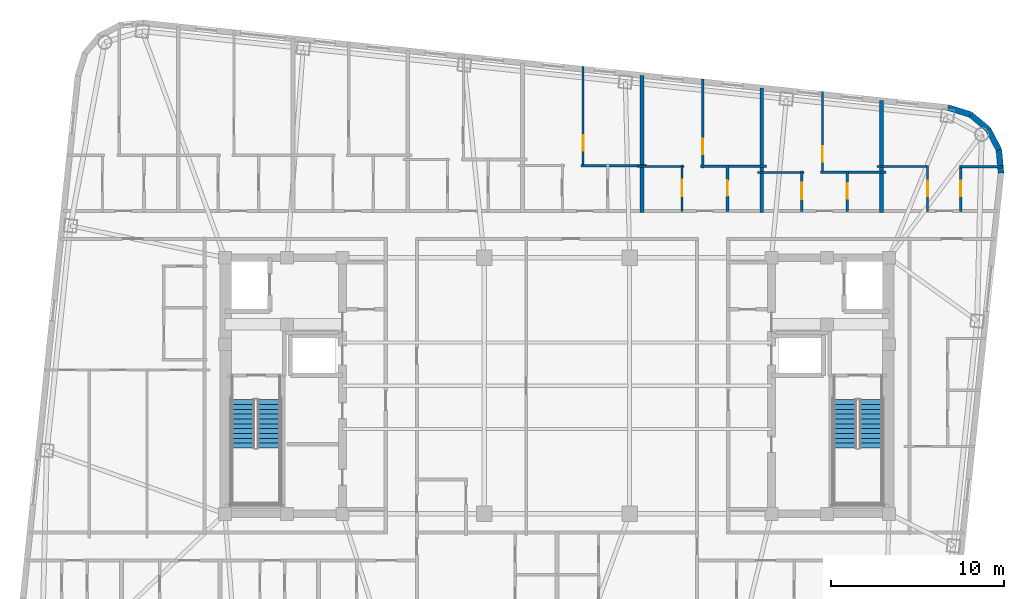
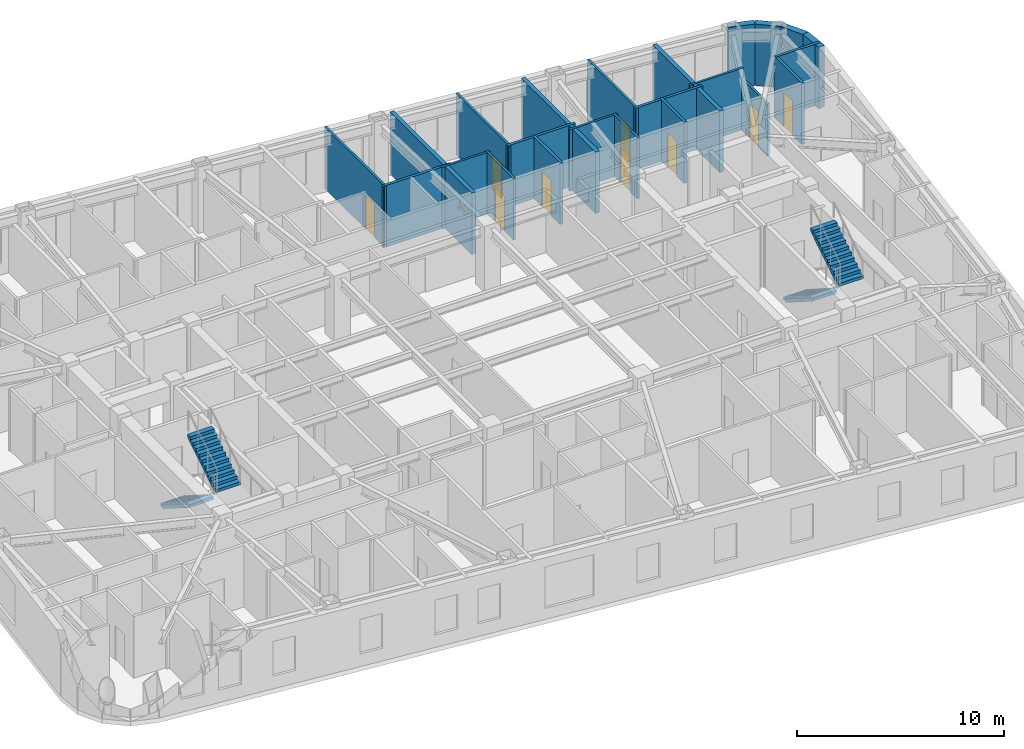
# One storey, part 9 of 11: 23 walls, 9 doors, 4 stair flights, 9 openings, 2 elements without a shape of their own.
"""IFC4 building model written with IfcOpenShell, lengths in metres."""

from ifc_helpers import new_model, si_unit, direction, frame, frame_2d, origin, place, context, subcontext, project, spatial, polyline, rectangle, outline, extrude, material, layer, layer_set, type_object, element, fill, aggregate, save


model = new_model("IFC4")

# Units and contexts
model_context = context("Model", 3, precision=1e-05, world=origin(), true_north=direction((0.0, 1.0)))
body_context = subcontext(model_context, "Body", "Model", "MODEL_VIEW")
ifc_project = project(units=[si_unit("LENGTHUNIT", "METRE"), si_unit("AREAUNIT", "SQUARE_METRE"), si_unit("VOLUMEUNIT", "CUBIC_METRE"), si_unit("PLANEANGLEUNIT", "RADIAN"), si_unit("MASSUNIT", "GRAM", prefix="KILO")], contexts=[model_context])

# Site, building, storey
site_placement = place(None, origin())
site = spatial("IfcSite", under=ifc_project, at=site_placement, CompositionType="ELEMENT")
building_placement = place(site_placement, origin())
building = spatial("IfcBuilding", under=site, at=building_placement, Name="Voryun Gate Residences", CompositionType="ELEMENT")
storey_placement = place(building_placement, frame((0.0, 0.0, 299.0)))
storey = spatial("IfcBuildingStorey", under=building, at=storey_placement, Name="L74", CompositionType="ELEMENT", Elevation=299.0)

# Walls
ifc_material_1 = material(Name="Charcoal terracotta masonry", Category="masonry")
ifc_layer_1 = layer(ifc_material_1, 0.340087890625, Name="W_EXT_TERRACOTTA_340")
ifc_layer_set_1 = layer_set([ifc_layer_1], Name="Charcoal terracotta masonry")
wall_type_1 = type_object("IfcWallType", Name="W_EXT_TERRACOTTA_340", PredefinedType="ELEMENTEDWALL", material=ifc_layer_set_1)
wall_1_placement = place(storey_placement, frame((22.6025390625, 16.083740234375, 0.0), z_axis=(0.0, 0.0, 1.0), x_axis=(0.955007802701, -0.296580674994, 0.0)))
element("IfcWall", 1, at=wall_1_placement, inside=storey, type_object=wall_type_1, Name="Exterior wall WEXT-L74-12", PredefinedType="ELEMENTEDWALL", context=body_context, shape_type="SweptSolid", body=[
    extrude(rectangle(XDim=1.354248046875, YDim=0.340087890625, at=frame_2d((0.67724609375, 0.0))), origin(), (0.0, 0.0, 1.0), 3.635009765625),
])
for number, where, z_axis, x_axis, name in (
    (2, (23.895751953125, 15.68212890625, 0.0), (0.0, 0.0, 1.0), (0.768789762863, -0.639501603217, 0.0), "Exterior wall WEXT-L74-13"),
    (3, (24.923583984375, 14.8271484375, 0.0), (0.0, 0.0, 1.0), (0.46567116636, -0.884957832228, 0.0), "Exterior wall WEXT-L74-14"),
):
    element("IfcWall", number, at=place(storey_placement, frame(where, z_axis=z_axis, x_axis=x_axis)), inside=storey, type_object=wall_type_1, Name=name, PredefinedType="ELEMENTEDWALL", context=body_context, shape_type="SweptSolid", body=[
        extrude(rectangle(XDim=1.3369140625, YDim=0.340087890625, at=frame_2d((0.66845703125, 0.0))), origin(), (0.0, 0.0, 1.0), 3.635009765625),
    ])
wall_2_placement = place(storey_placement, frame((25.546142578125, 13.64404296875, 0.0), z_axis=(0.0, 0.0, 1.0), x_axis=(0.091592370975, -0.995796584438, 0.0)))
element("IfcWall", 4, at=wall_2_placement, inside=storey, type_object=wall_type_1, Name="Exterior wall WEXT-L74-15", PredefinedType="ELEMENTEDWALL", context=body_context, shape_type="SweptSolid", body=[
    extrude(rectangle(XDim=1.35400390625, YDim=0.340087890625, at=frame_2d((0.677001953125, 0.0))), origin(), (0.0, 0.0, 1.0), 3.635009765625),
])
ifc_material_2 = material(Name="Concrete C40/50", Category="concrete")
ifc_layer_2 = layer(ifc_material_2, 0.219970703125, Name="W_PARTY_ACOUSTIC_220")
ifc_layer_set_2 = layer_set([ifc_layer_2], Name="Concrete C40/50")
wall_type_2 = type_object("IfcWallType", Name="W_PARTY_ACOUSTIC_220", PredefinedType="PARTITIONING", material=ifc_layer_set_2)
wall_3_placement = place(storey_placement, frame((4.9189453125, 10.02001953125, 0.0), z_axis=(0.0, 0.0, 1.0), x_axis=(0.0, 1.0, 0.0)))
element("IfcWall", 5, at=wall_3_placement, inside=storey, type_object=wall_type_2, Name="Partition wall WP-L74-NPTY-5", PredefinedType="PARTITIONING", context=body_context, shape_type="SweptSolid", body=[
    extrude(rectangle(XDim=7.92236328125, YDim=0.219970703125, at=frame_2d((3.961181640625, 0.0))), origin(), (0.0, 0.0, 1.0), 3.635009765625),
])
wall_4_placement = place(storey_placement, frame((11.837890625, 10.02001953125, 0.0), z_axis=(0.0, 0.0, 1.0), x_axis=(0.0, 1.0, 0.0)))
element("IfcWall", 6, at=wall_4_placement, inside=storey, type_object=wall_type_2, Name="Partition wall WP-L74-NPTY-6", PredefinedType="PARTITIONING", context=body_context, shape_type="SweptSolid", body=[
    extrude(rectangle(XDim=7.195068359375, YDim=0.219970703125, at=frame_2d((3.59765625, 0.0))), origin(), (0.0, 0.0, 1.0), 3.635009765625),
])
wall_5_placement = place(storey_placement, frame((18.758056640625, 10.02001953125, 0.0), z_axis=(0.0, 0.0, 1.0), x_axis=(0.0, 1.0, 0.0)))
element("IfcWall", 7, at=wall_5_placement, inside=storey, type_object=wall_type_2, Name="Partition wall WP-L74-NPTY-7", PredefinedType="PARTITIONING", context=body_context, shape_type="SweptSolid", body=[
    extrude(rectangle(XDim=6.4677734375, YDim=0.219970703125, at=frame_2d((3.23388671875, 0.0))), origin(), (0.0, 0.0, 1.0), 3.635009765625),
])

# Wall, opening, door
ifc_material_3 = material(Name="Gypsum acoustic partition")
ifc_layer_3 = layer(ifc_material_3, 0.125, Name="W_UNIT_PART_125")
ifc_layer_set_3 = layer_set([ifc_layer_3], Name="Gypsum acoustic partition")
wall_type_3 = type_object("IfcWallType", Name="W_UNIT_PART_125", PredefinedType="PARTITIONING", material=ifc_layer_set_3)
wall_6_placement = place(storey_placement, frame((1.509033203125, 12.64794921875, 0.0), z_axis=(0.0, 0.0, 1.0), x_axis=(0.0, 1.0, 0.0)))
wall_6 = element("IfcWall", 8, at=wall_6_placement, inside=storey, type_object=wall_type_3, Name="Partition wall WP-L74-N5-OVR", PredefinedType="PARTITIONING", context=body_context, shape_type="SweptSolid", body=[
    extrude(rectangle(XDim=5.8037109375, YDim=0.125, at=frame_2d((2.90185546875, 0.0))), origin(), (0.0, 0.0, 1.0), 3.635009765625),
])
opening_1_placement = place(wall_6_placement, frame((0.94287109375, 0.0, 0.0)))
opening_1 = element("IfcOpeningElement", 9, at=opening_1_placement, cuts=wall_6, Name="Opening D-INT-2", PredefinedType="OPENING", context=body_context, shape_type="SweptSolid", body=[
    extrude(rectangle(XDim=0.89990234375, YDim=2.050048828125, at=frame_2d((0.449951171875, 1.02490234375))), frame((0.0, 0.072509765625, 0.0), z_axis=(0.0, -1.0, 0.0), x_axis=(1.0, 0.0, 0.0)), (0.0, 0.0, 1.0), 0.14501953125),
])
ifc_material_4 = material(Name="Architectural oak veneer")
door_type_1 = type_object("IfcDoorType", Name="DR_INT_BATH_900", OperationType="NOTDEFINED", PredefinedType="DOOR", material=ifc_material_4)
door_1_placement = place(opening_1_placement, origin())
door_1 = element("IfcDoor", 10, at=door_1_placement, inside=storey, type_object=door_type_1, Name="Door DR-L74-N5-DMB", OperationType="SINGLE_SWING_RIGHT", OverallHeight=2.050048828125, OverallWidth=0.89990234375, PredefinedType="DOOR", context=body_context, shape_type="SweptSolid", body=[
    extrude(rectangle(XDim=0.89990234375, YDim=2.050048828125, at=frame_2d((0.449951171875, 1.02490234375))), frame((0.0, 0.02490234375, 0.0), z_axis=(0.0, -1.0, 0.0), x_axis=(1.0, 0.0, 0.0)), (0.0, 0.0, 1.0), 0.050048828125),
])
fill(opening_1, door_1)

wall_7_placement = place(storey_placement, frame((8.427978515625, 12.60205078125, 0.0), z_axis=(0.0, 0.0, 1.0), x_axis=(0.0, 1.0, 0.0)))
wall_7 = element("IfcWall", 11, at=wall_7_placement, inside=storey, type_object=wall_type_3, Name="Partition wall WP-L74-N6-OVR", PredefinedType="PARTITIONING", context=body_context, shape_type="SweptSolid", body=[
    extrude(rectangle(XDim=5.122314453125, YDim=0.125, at=frame_2d((2.56103515625, 0.0))), origin(), (0.0, 0.0, 1.0), 3.635009765625),
])
opening_2_placement = place(wall_7_placement, frame((0.779296875, 0.0, 0.0)))
opening_2 = element("IfcOpeningElement", 12, at=opening_2_placement, cuts=wall_7, Name="Opening D-INT-2", PredefinedType="OPENING", context=body_context, shape_type="SweptSolid", body=[
    extrude(rectangle(XDim=0.89990234375, YDim=2.050048828125, at=frame_2d((0.449951171875, 1.02490234375))), frame((0.0, 0.072509765625, 0.0), z_axis=(0.0, -1.0, 0.0), x_axis=(1.0, 0.0, 0.0)), (0.0, 0.0, 1.0), 0.14501953125),
])
door_2_placement = place(opening_2_placement, origin())
door_2 = element("IfcDoor", 13, at=door_2_placement, inside=storey, type_object=door_type_1, Name="Door DR-L74-N6-DMB", OperationType="SINGLE_SWING_RIGHT", OverallHeight=2.050048828125, OverallWidth=0.89990234375, PredefinedType="DOOR", context=body_context, shape_type="SweptSolid", body=[
    extrude(rectangle(XDim=0.89990234375, YDim=2.050048828125, at=frame_2d((0.449951171875, 1.02490234375))), frame((0.0, 0.02490234375, 0.0), z_axis=(0.0, -1.0, 0.0), x_axis=(1.0, 0.0, 0.0)), (0.0, 0.0, 1.0), 0.050048828125),
])
fill(opening_2, door_2)

wall_8_placement = place(storey_placement, frame((7.22900390625, 10.080078125, 0.0), z_axis=(0.0, 0.0, 1.0), x_axis=(0.0, 1.0, 0.0)))
wall_8 = element("IfcWall", 14, at=wall_8_placement, inside=storey, type_object=wall_type_3, Name="Partition wall WP-L74-N6-IVK", PredefinedType="PARTITIONING", context=body_context, shape_type="SweptSolid", body=[
    extrude(rectangle(XDim=2.681884765625, YDim=0.125, at=frame_2d((1.3408203125, 0.0))), origin(), (0.0, 0.0, 1.0), 3.635009765625),
])
opening_3_placement = place(wall_8_placement, frame((0.865966796875, 0.0, 0.0)))
opening_3 = element("IfcOpeningElement", 15, at=opening_3_placement, cuts=wall_8, Name="Opening D-INT-1", PredefinedType="OPENING", context=body_context, shape_type="SweptSolid", body=[
    extrude(rectangle(XDim=0.949951171875, YDim=2.050048828125, at=frame_2d((0.47509765625, 1.02490234375))), frame((0.0, 0.072509765625, 0.0), z_axis=(0.0, -1.0, 0.0), x_axis=(1.0, 0.0, 0.0)), (0.0, 0.0, 1.0), 0.14501953125),
])
ifc_material_5 = material(Name="Architectural oak veneer")
door_type_2 = type_object("IfcDoorType", Name="DR_INT_ROOM_950", OperationType="NOTDEFINED", PredefinedType="DOOR", material=ifc_material_5)
door_3_placement = place(opening_3_placement, origin())
door_3 = element("IfcDoor", 16, at=door_3_placement, inside=storey, type_object=door_type_2, Name="Door DR-L74-N6-DK", OperationType="SINGLE_SWING_LEFT", OverallHeight=2.050048828125, OverallWidth=0.949951171875, PredefinedType="DOOR", context=body_context, shape_type="SweptSolid", body=[
    extrude(rectangle(XDim=0.949951171875, YDim=2.050048828125, at=frame_2d((0.47509765625, 1.02490234375))), frame((0.0, 0.02490234375, 0.0), z_axis=(0.0, -1.0, 0.0), x_axis=(1.0, 0.0, 0.0)), (0.0, 0.0, 1.0), 0.050048828125),
])
fill(opening_3, door_3)

# Wall
wall_9_placement = place(storey_placement, frame((4.658935546875, 12.681884765625, 0.0), z_axis=(0.0, 0.0, 1.0), x_axis=(1.0, 0.0, 0.0)))
element("IfcWall", 17, at=wall_9_placement, inside=storey, type_object=wall_type_3, Name="Partition wall WP-L74-N6-HZK", PredefinedType="PARTITIONING", context=body_context, shape_type="SweptSolid", body=[
    extrude(rectangle(XDim=2.690185546875, YDim=0.125, at=frame_2d((1.34521484375, 0.0))), origin(), (0.0, 0.0, 1.0), 3.635009765625),
])

# Wall, opening, door
wall_10_placement = place(storey_placement, frame((15.347900390625, 12.257080078125, 0.0), z_axis=(0.0, 0.0, 1.0), x_axis=(0.0, 1.0, 0.0)))
wall_10 = element("IfcWall", 18, at=wall_10_placement, inside=storey, type_object=wall_type_3, Name="Partition wall WP-L74-N7-OVR", PredefinedType="PARTITIONING", context=body_context, shape_type="SweptSolid", body=[
    extrude(rectangle(XDim=4.739990234375, YDim=0.125, at=frame_2d((2.3701171875, 0.0))), origin(), (0.0, 0.0, 1.0), 3.635009765625),
])
opening_4_placement = place(wall_10_placement, frame((0.6875, 0.0, 0.0)))
opening_4 = element("IfcOpeningElement", 19, at=opening_4_placement, cuts=wall_10, Name="Opening D-INT-2", PredefinedType="OPENING", context=body_context, shape_type="SweptSolid", body=[
    extrude(rectangle(XDim=0.89990234375, YDim=2.050048828125, at=frame_2d((0.449951171875, 1.02490234375))), frame((0.0, 0.072509765625, 0.0), z_axis=(0.0, -1.0, 0.0), x_axis=(1.0, 0.0, 0.0)), (0.0, 0.0, 1.0), 0.14501953125),
])
door_4_placement = place(opening_4_placement, origin())
door_4 = element("IfcDoor", 20, at=door_4_placement, inside=storey, type_object=door_type_1, Name="Door DR-L74-N7-DMB", OperationType="SINGLE_SWING_RIGHT", OverallHeight=2.050048828125, OverallWidth=0.89990234375, PredefinedType="DOOR", context=body_context, shape_type="SweptSolid", body=[
    extrude(rectangle(XDim=0.89990234375, YDim=2.050048828125, at=frame_2d((0.449951171875, 1.02490234375))), frame((0.0, 0.02490234375, 0.0), z_axis=(0.0, -1.0, 0.0), x_axis=(1.0, 0.0, 0.0)), (0.0, 0.0, 1.0), 0.050048828125),
])
fill(opening_4, door_4)

wall_11_placement = place(storey_placement, frame((14.14794921875, 10.080078125, 0.0), z_axis=(0.0, 0.0, 1.0), x_axis=(0.0, 1.0, 0.0)))
wall_11 = element("IfcWall", 21, at=wall_11_placement, inside=storey, type_object=wall_type_3, Name="Partition wall WP-L74-N7-IVK", PredefinedType="PARTITIONING", context=body_context, shape_type="SweptSolid", body=[
    extrude(rectangle(XDim=2.3369140625, YDim=0.125, at=frame_2d((1.16845703125, 0.0))), origin(), (0.0, 0.0, 1.0), 3.635009765625),
])
opening_5_placement = place(wall_11_placement, frame((0.693603515625, 0.0, 0.0)))
opening_5 = element("IfcOpeningElement", 22, at=opening_5_placement, cuts=wall_11, Name="Opening D-INT-1", PredefinedType="OPENING", context=body_context, shape_type="SweptSolid", body=[
    extrude(rectangle(XDim=0.949951171875, YDim=2.050048828125, at=frame_2d((0.47509765625, 1.02490234375))), frame((0.0, 0.072509765625, 0.0), z_axis=(0.0, -1.0, 0.0), x_axis=(1.0, 0.0, 0.0)), (0.0, 0.0, 1.0), 0.14501953125),
])
door_5_placement = place(opening_5_placement, origin())
door_5 = element("IfcDoor", 23, at=door_5_placement, inside=storey, type_object=door_type_2, Name="Door DR-L74-N7-DK", OperationType="SINGLE_SWING_LEFT", OverallHeight=2.050048828125, OverallWidth=0.949951171875, PredefinedType="DOOR", context=body_context, shape_type="SweptSolid", body=[
    extrude(rectangle(XDim=0.949951171875, YDim=2.050048828125, at=frame_2d((0.47509765625, 1.02490234375))), frame((0.0, 0.02490234375, 0.0), z_axis=(0.0, -1.0, 0.0), x_axis=(1.0, 0.0, 0.0)), (0.0, 0.0, 1.0), 0.050048828125),
])
fill(opening_5, door_5)

# Wall
wall_12_placement = place(storey_placement, frame((11.577880859375, 12.3369140625, 0.0), z_axis=(0.0, 0.0, 1.0), x_axis=(1.0, 0.0, 0.0)))
element("IfcWall", 24, at=wall_12_placement, inside=storey, type_object=wall_type_3, Name="Partition wall WP-L74-N7-HZK", PredefinedType="PARTITIONING", context=body_context, shape_type="SweptSolid", body=[
    extrude(rectangle(XDim=2.690185546875, YDim=0.125, at=frame_2d((1.34521484375, 0.0))), origin(), (0.0, 0.0, 1.0), 3.635009765625),
])

# Wall, opening, door
wall_13_placement = place(storey_placement, frame((21.424072265625, 10.080078125, 0.0), z_axis=(0.0, 0.0, 1.0), x_axis=(0.0, 1.0, 0.0)))
wall_13 = element("IfcWall", 25, at=wall_13_placement, inside=storey, type_object=wall_type_3, Name="Partition wall WP-L74-N8-CVK", PredefinedType="PARTITIONING", context=body_context, shape_type="SweptSolid", body=[
    extrude(rectangle(XDim=2.64990234375, YDim=0.125, at=frame_2d((1.324951171875, 0.0))), origin(), (0.0, 0.0, 1.0), 3.074951171875),
])
opening_6_placement = place(wall_13_placement, frame((0.875, 0.0, 0.0)))
opening_6 = element("IfcOpeningElement", 26, at=opening_6_placement, cuts=wall_13, Name="Opening D-INT-2", PredefinedType="OPENING", context=body_context, shape_type="SweptSolid", body=[
    extrude(rectangle(XDim=0.89990234375, YDim=2.050048828125, at=frame_2d((0.449951171875, 1.02490234375))), frame((0.0, 0.072509765625, 0.0), z_axis=(0.0, -1.0, 0.0), x_axis=(1.0, 0.0, 0.0)), (0.0, 0.0, 1.0), 0.14501953125),
])
door_6_placement = place(opening_6_placement, origin())
door_6 = element("IfcDoor", 27, at=door_6_placement, inside=storey, type_object=door_type_1, Name="Door DR-L74-N8-DK", OperationType="SINGLE_SWING_LEFT", OverallHeight=2.050048828125, OverallWidth=0.89990234375, PredefinedType="DOOR", context=body_context, shape_type="SweptSolid", body=[
    extrude(rectangle(XDim=0.89990234375, YDim=2.050048828125, at=frame_2d((0.449951171875, 1.02490234375))), frame((0.0, 0.02490234375, 0.0), z_axis=(0.0, -1.0, 0.0), x_axis=(1.0, 0.0, 0.0)), (0.0, 0.0, 1.0), 0.050048828125),
])
fill(opening_6, door_6)

# Walls
wall_14_placement = place(storey_placement, frame((18.498046875, 12.669921875, 0.0), z_axis=(0.0, 0.0, 1.0), x_axis=(1.0, 0.0, 0.0)))
element("IfcWall", 28, at=wall_14_placement, inside=storey, type_object=wall_type_3, Name="Partition wall WP-L74-N8-CHK", PredefinedType="PARTITIONING", context=body_context, shape_type="SweptSolid", body=[
    extrude(rectangle(XDim=2.98583984375, YDim=0.125, at=frame_2d((1.492919921875, 0.0))), origin(), (0.0, 0.0, 1.0), 3.635009765625),
])
ifc_material_6 = material(Name="Gypsum moisture-resistant partition")
ifc_layer_4 = layer(ifc_material_6, 0.14990234375, Name="W_WET_PLUMB_150")
ifc_layer_set_4 = layer_set([ifc_layer_4], Name="Gypsum moisture-resistant partition")
wall_type_4 = type_object("IfcWallType", Name="W_WET_PLUMB_150", PredefinedType="PLUMBINGWALL", material=ifc_layer_set_4)
wall_15_placement = place(storey_placement, frame((1.388916015625, 12.72802734375, 0.0), z_axis=(0.0, 0.0, 1.0), x_axis=(1.0, 0.0, 0.0)))
element("IfcWall", 29, at=wall_15_placement, inside=storey, type_object=wall_type_4, Name="Partition wall WP-L74-N5-HZB", PredefinedType="PLUMBINGWALL", context=body_context, shape_type="SweptSolid", body=[
    extrude(rectangle(XDim=3.7900390625, YDim=0.14990234375, at=frame_2d((1.89501953125, 0.0))), origin(), (0.0, 0.0, 1.0), 3.635009765625),
])
wall_16_placement = place(storey_placement, frame((8.30810546875, 12.681884765625, 0.0), z_axis=(0.0, 0.0, 1.0), x_axis=(1.0, 0.0, 0.0)))
element("IfcWall", 30, at=wall_16_placement, inside=storey, type_object=wall_type_4, Name="Partition wall WP-L74-N6-HZB", PredefinedType="PLUMBINGWALL", context=body_context, shape_type="SweptSolid", body=[
    extrude(rectangle(XDim=3.789794921875, YDim=0.14990234375, at=frame_2d((1.89501953125, 0.0))), origin(), (0.0, 0.0, 1.0), 3.635009765625),
])

# Wall, opening, door
wall_17_placement = place(storey_placement, frame((9.85791015625, 10.080078125, 0.0), z_axis=(0.0, 0.0, 1.0), x_axis=(0.0, 1.0, 0.0)))
wall_17 = element("IfcWall", 31, at=wall_17_placement, inside=storey, type_object=wall_type_4, Name="Partition wall WP-L74-N6-IVB", PredefinedType="PLUMBINGWALL", context=body_context, shape_type="SweptSolid", body=[
    extrude(rectangle(XDim=2.681884765625, YDim=0.14990234375, at=frame_2d((1.3408203125, 0.0))), origin(), (0.0, 0.0, 1.0), 3.635009765625),
])
opening_7_placement = place(wall_17_placement, frame((0.89111328125, 0.0, 0.0)))
opening_7 = element("IfcOpeningElement", 32, at=opening_7_placement, cuts=wall_17, Name="Opening D-INT-2", PredefinedType="OPENING", context=body_context, shape_type="SweptSolid", body=[
    extrude(rectangle(XDim=0.89990234375, YDim=2.050048828125, at=frame_2d((0.449951171875, 1.02490234375))), frame((0.0, 0.0849609375, 0.0), z_axis=(0.0, -1.0, 0.0), x_axis=(1.0, 0.0, 0.0)), (0.0, 0.0, 1.0), 0.169921875),
])
door_7_placement = place(opening_7_placement, origin())
door_7 = element("IfcDoor", 33, at=door_7_placement, inside=storey, type_object=door_type_1, Name="Door DR-L74-N6-DB", OperationType="SINGLE_SWING_RIGHT", OverallHeight=2.050048828125, OverallWidth=0.89990234375, PredefinedType="DOOR", context=body_context, shape_type="SweptSolid", body=[
    extrude(rectangle(XDim=0.89990234375, YDim=2.050048828125, at=frame_2d((0.449951171875, 1.02490234375))), frame((0.0, 0.02490234375, 0.0), z_axis=(0.0, -1.0, 0.0), x_axis=(1.0, 0.0, 0.0)), (0.0, 0.0, 1.0), 0.050048828125),
])
fill(opening_7, door_7)

# Wall
wall_18_placement = place(storey_placement, frame((15.22802734375, 12.3369140625, 0.0), z_axis=(0.0, 0.0, 1.0), x_axis=(1.0, 0.0, 0.0)))
element("IfcWall", 34, at=wall_18_placement, inside=storey, type_object=wall_type_4, Name="Partition wall WP-L74-N7-HZB", PredefinedType="PLUMBINGWALL", context=body_context, shape_type="SweptSolid", body=[
    extrude(rectangle(XDim=3.7900390625, YDim=0.14990234375, at=frame_2d((1.89501953125, 0.0))), origin(), (0.0, 0.0, 1.0), 3.635009765625),
])

# Wall, opening, door
wall_19_placement = place(storey_placement, frame((16.778076171875, 10.080078125, 0.0), z_axis=(0.0, 0.0, 1.0), x_axis=(0.0, 1.0, 0.0)))
wall_19 = element("IfcWall", 35, at=wall_19_placement, inside=storey, type_object=wall_type_4, Name="Partition wall WP-L74-N7-IVB", PredefinedType="PLUMBINGWALL", context=body_context, shape_type="SweptSolid", body=[
    extrude(rectangle(XDim=2.3369140625, YDim=0.14990234375, at=frame_2d((1.16845703125, 0.0))), origin(), (0.0, 0.0, 1.0), 3.635009765625),
])
opening_8_placement = place(wall_19_placement, frame((0.718505859375, 0.0, 0.0)))
opening_8 = element("IfcOpeningElement", 36, at=opening_8_placement, cuts=wall_19, Name="Opening D-INT-2", PredefinedType="OPENING", context=body_context, shape_type="SweptSolid", body=[
    extrude(rectangle(XDim=0.89990234375, YDim=2.050048828125, at=frame_2d((0.449951171875, 1.02490234375))), frame((0.0, 0.0849609375, 0.0), z_axis=(0.0, -1.0, 0.0), x_axis=(1.0, 0.0, 0.0)), (0.0, 0.0, 1.0), 0.169921875),
])
door_8_placement = place(opening_8_placement, origin())
door_8 = element("IfcDoor", 37, at=door_8_placement, inside=storey, type_object=door_type_1, Name="Door DR-L74-N7-DB", OperationType="SINGLE_SWING_RIGHT", OverallHeight=2.050048828125, OverallWidth=0.89990234375, PredefinedType="DOOR", context=body_context, shape_type="SweptSolid", body=[
    extrude(rectangle(XDim=0.89990234375, YDim=2.050048828125, at=frame_2d((0.449951171875, 1.02490234375))), frame((0.0, 0.02490234375, 0.0), z_axis=(0.0, -1.0, 0.0), x_axis=(1.0, 0.0, 0.0)), (0.0, 0.0, 1.0), 0.050048828125),
])
fill(opening_8, door_8)

wall_20_placement = place(storey_placement, frame((23.344970703125, 10.080078125, 0.0), z_axis=(0.0, 0.0, 1.0), x_axis=(0.0, 1.0, 0.0)))
wall_20 = element("IfcWall", 38, at=wall_20_placement, inside=storey, type_object=wall_type_4, Name="Partition wall WP-L74-N8-CVB", PredefinedType="PLUMBINGWALL", context=body_context, shape_type="SweptSolid", body=[
    extrude(rectangle(XDim=2.64990234375, YDim=0.14990234375, at=frame_2d((1.324951171875, 0.0))), origin(), (0.0, 0.0, 1.0), 3.635009765625),
])
opening_9_placement = place(wall_20_placement, frame((0.875, 0.0, 0.0)))
opening_9 = element("IfcOpeningElement", 39, at=opening_9_placement, cuts=wall_20, Name="Opening D-INT-2", PredefinedType="OPENING", context=body_context, shape_type="SweptSolid", body=[
    extrude(rectangle(XDim=0.89990234375, YDim=2.050048828125, at=frame_2d((0.449951171875, 1.02490234375))), frame((0.0, 0.0849609375, 0.0), z_axis=(0.0, -1.0, 0.0), x_axis=(1.0, 0.0, 0.0)), (0.0, 0.0, 1.0), 0.169921875),
])
door_9_placement = place(opening_9_placement, origin())
door_9 = element("IfcDoor", 40, at=door_9_placement, inside=storey, type_object=door_type_1, Name="Door DR-L74-N8-DB", OperationType="SINGLE_SWING_RIGHT", OverallHeight=2.050048828125, OverallWidth=0.89990234375, PredefinedType="DOOR", context=body_context, shape_type="SweptSolid", body=[
    extrude(rectangle(XDim=0.89990234375, YDim=2.050048828125, at=frame_2d((0.449951171875, 1.02490234375))), frame((0.0, 0.02490234375, 0.0), z_axis=(0.0, -1.0, 0.0), x_axis=(1.0, 0.0, 0.0)), (0.0, 0.0, 1.0), 0.050048828125),
])
fill(opening_9, door_9)

# Wall
wall_21_placement = place(storey_placement, frame((23.284912109375, 12.669921875, 0.0), z_axis=(0.0, 0.0, 1.0), x_axis=(1.0, 0.0, 0.0)))
element("IfcWall", 41, at=wall_21_placement, inside=storey, type_object=wall_type_4, Name="Partition wall WP-L74-N8-CHB", PredefinedType="PLUMBINGWALL", context=body_context, shape_type="SweptSolid", body=[
    extrude(rectangle(XDim=2.50146484375, YDim=0.14990234375, at=frame_2d((1.250732421875, 0.0))), origin(), (0.0, 0.0, 1.0), 3.635009765625),
])

# Stair, stair flights
ifc_material_7 = material(Name="Concrete C40/50", Category="concrete")
stair_type = type_object("IfcStairType", Name="STR_CORE_DOGLEG_1350", PredefinedType="HALF_TURN_STAIR", material=ifc_material_7)
stair_1_placement = place(storey_placement, origin())
stair_1 = element("IfcStair", 42, at=stair_1_placement, inside=storey, type_object=stair_type, Name="L74 Special Escape Stair ST-W1", PredefinedType="HALF_TURN_STAIR")
ifc_material_8 = material(Name="Concrete C40/50", Category="concrete")
stair_flight_type = type_object("IfcStairFlightType", Name="FLT_CORE_1350", PredefinedType="STRAIGHT", material=ifc_material_8)
stair_flight_1_placement = place(storey_placement, frame((-18.14990234375, -0.800048828125, 0.0), z_axis=(0.0, 0.0, 1.0), x_axis=(0.0, -1.0, 0.0)))
stair_flight_1 = element("IfcStairFlight", 43, at=stair_flight_1_placement, type_object=stair_flight_type, Name="ST-W1 flight 1", NumberOfRisers=11, NumberOfTreads=10, PredefinedType="STRAIGHT", RiserHeight=0.177272727, TreadLength=0.28, context=body_context, shape_type="SweptSolid", body=[
    extrude(outline(polyline([(0.0, 0.0), (0.0, 0.17724609375), (0.280029296875, 0.17724609375), (0.280029296875, 0.3544921875), (0.56005859375, 0.3544921875), (0.56005859375, 0.53173828125), (0.840087890625, 0.53173828125), (0.840087890625, 0.708984375), (1.1201171875, 0.708984375), (1.1201171875, 0.886474609375), (1.39990234375, 0.886474609375), (1.39990234375, 1.063720703125), (1.679931640625, 1.063720703125), (1.679931640625, 1.240966796875), (1.9599609375, 1.240966796875), (1.9599609375, 1.418212890625), (2.239990234375, 1.418212890625), (2.239990234375, 1.595458984375), (2.52001953125, 1.595458984375), (2.52001953125, 1.772705078125), (2.800048828125, 1.772705078125), (2.800048828125, 1.949951171875), (2.800048828125, 1.59521484375), (0.2802734375, 0.0), (0.0, 0.0)])), frame((0.0, 0.675048828125, 0.0), z_axis=(0.0, -1.0, 0.0), x_axis=(1.0, 0.0, 0.0)), (0.0, 0.0, 1.0), 1.35009765625),
])
stair_flight_2_placement = place(storey_placement, frame((-16.64990234375, -3.60009765625, 1.949951171875), z_axis=(0.0, 0.0, 1.0), x_axis=(0.0, 1.0, 0.0)))
stair_flight_2 = element("IfcStairFlight", 44, at=stair_flight_2_placement, type_object=stair_flight_type, Name="ST-W1 flight 2", NumberOfRisers=11, NumberOfTreads=10, PredefinedType="STRAIGHT", RiserHeight=0.177272727, TreadLength=0.28, context=body_context, shape_type="SweptSolid", body=[
    extrude(outline(polyline([(0.0, 0.0), (0.0, 0.17724609375), (0.280029296875, 0.17724609375), (0.280029296875, 0.3544921875), (0.56005859375, 0.3544921875), (0.56005859375, 0.53173828125), (0.840087890625, 0.53173828125), (0.840087890625, 0.708984375), (1.1201171875, 0.708984375), (1.1201171875, 0.886474609375), (1.39990234375, 0.886474609375), (1.39990234375, 1.063720703125), (1.679931640625, 1.063720703125), (1.679931640625, 1.240966796875), (1.9599609375, 1.240966796875), (1.9599609375, 1.418212890625), (2.239990234375, 1.418212890625), (2.239990234375, 1.595458984375), (2.52001953125, 1.595458984375), (2.52001953125, 1.772705078125), (2.800048828125, 1.772705078125), (2.800048828125, 1.949951171875), (2.800048828125, 1.59521484375), (0.2802734375, 0.0), (0.0, 0.0)])), frame((0.0, 0.675048828125, 0.0), z_axis=(0.0, -1.0, 0.0), x_axis=(1.0, 0.0, 0.0)), (0.0, 0.0, 1.0), 1.35009765625),
])
aggregate(stair_1, [stair_flight_1, stair_flight_2])

stair_2_placement = place(storey_placement, origin())
stair_2 = element("IfcStair", 45, at=stair_2_placement, inside=storey, type_object=stair_type, Name="L74 Special Escape Stair ST-E1", PredefinedType="HALF_TURN_STAIR")
stair_flight_3_placement = place(storey_placement, frame((16.64990234375, -0.800048828125, 0.0), z_axis=(0.0, 0.0, 1.0), x_axis=(0.0, -1.0, 0.0)))
stair_flight_3 = element("IfcStairFlight", 46, at=stair_flight_3_placement, type_object=stair_flight_type, Name="ST-E1 flight 1", NumberOfRisers=11, NumberOfTreads=10, PredefinedType="STRAIGHT", RiserHeight=0.177272727, TreadLength=0.28, context=body_context, shape_type="SweptSolid", body=[
    extrude(outline(polyline([(0.0, 0.0), (0.0, 0.17724609375), (0.280029296875, 0.17724609375), (0.280029296875, 0.3544921875), (0.56005859375, 0.3544921875), (0.56005859375, 0.53173828125), (0.840087890625, 0.53173828125), (0.840087890625, 0.708984375), (1.1201171875, 0.708984375), (1.1201171875, 0.886474609375), (1.39990234375, 0.886474609375), (1.39990234375, 1.063720703125), (1.679931640625, 1.063720703125), (1.679931640625, 1.240966796875), (1.9599609375, 1.240966796875), (1.9599609375, 1.418212890625), (2.239990234375, 1.418212890625), (2.239990234375, 1.595458984375), (2.52001953125, 1.595458984375), (2.52001953125, 1.772705078125), (2.800048828125, 1.772705078125), (2.800048828125, 1.949951171875), (2.800048828125, 1.59521484375), (0.2802734375, 0.0), (0.0, 0.0)])), frame((0.0, 0.675048828125, 0.0), z_axis=(0.0, -1.0, 0.0), x_axis=(1.0, 0.0, 0.0)), (0.0, 0.0, 1.0), 1.35009765625),
])
stair_flight_4_placement = place(storey_placement, frame((18.14990234375, -3.60009765625, 1.949951171875), z_axis=(0.0, 0.0, 1.0), x_axis=(0.0, 1.0, 0.0)))
stair_flight_4 = element("IfcStairFlight", 47, at=stair_flight_4_placement, type_object=stair_flight_type, Name="ST-E1 flight 2", NumberOfRisers=11, NumberOfTreads=10, PredefinedType="STRAIGHT", RiserHeight=0.177272727, TreadLength=0.28, context=body_context, shape_type="SweptSolid", body=[
    extrude(outline(polyline([(0.0, 0.0), (0.0, 0.17724609375), (0.280029296875, 0.17724609375), (0.280029296875, 0.3544921875), (0.56005859375, 0.3544921875), (0.56005859375, 0.53173828125), (0.840087890625, 0.53173828125), (0.840087890625, 0.708984375), (1.1201171875, 0.708984375), (1.1201171875, 0.886474609375), (1.39990234375, 0.886474609375), (1.39990234375, 1.063720703125), (1.679931640625, 1.063720703125), (1.679931640625, 1.240966796875), (1.9599609375, 1.240966796875), (1.9599609375, 1.418212890625), (2.239990234375, 1.418212890625), (2.239990234375, 1.595458984375), (2.52001953125, 1.595458984375), (2.52001953125, 1.772705078125), (2.800048828125, 1.772705078125), (2.800048828125, 1.949951171875), (2.800048828125, 1.59521484375), (0.2802734375, 0.0), (0.0, 0.0)])), frame((0.0, 0.675048828125, 0.0), z_axis=(0.0, -1.0, 0.0), x_axis=(1.0, 0.0, 0.0)), (0.0, 0.0, 1.0), 1.35009765625),
])
aggregate(stair_2, [stair_flight_3, stair_flight_4])

save(model, "model.ifc")
